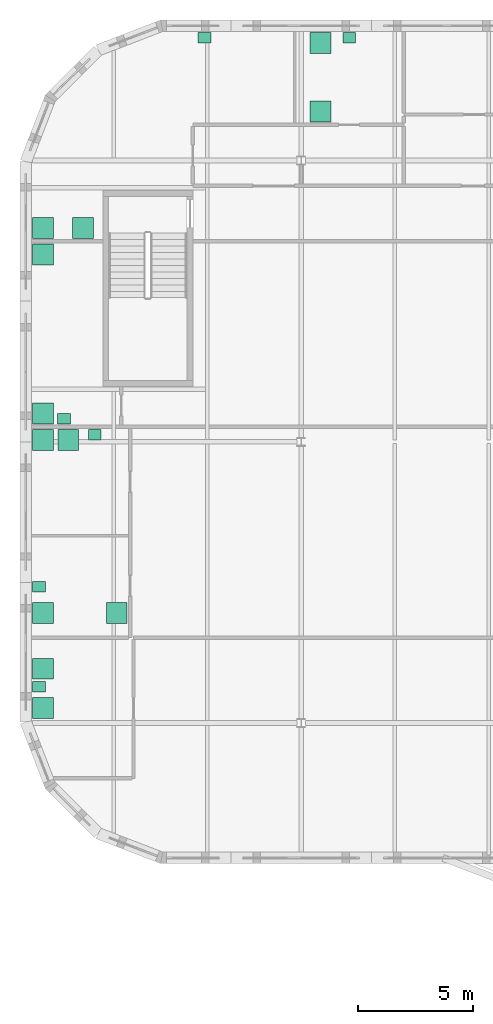
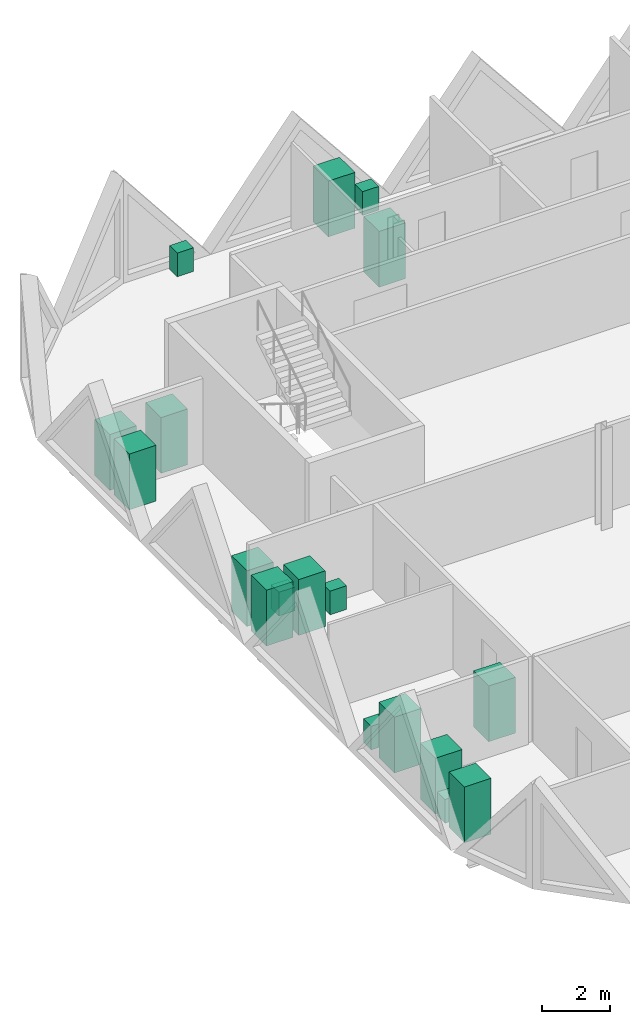
# One storey, part 12 of 12: 18 sanitary terminals.
"""IFC4 building model written with IfcOpenShell, lengths in metres."""

from ifc_helpers import new_model, si_unit, direction, frame, origin, origin_2d, place, context, subcontext, project, spatial, rectangle, extrude, material, type_object, element, save


model = new_model("IFC4")

# Units and contexts
model_context = context("Model", 3, precision=1e-05, world=origin(), true_north=direction((0.0, 1.0)))
body_context = subcontext(model_context, "Body", "Model", "MODEL_VIEW")
ifc_project = project(units=[si_unit("LENGTHUNIT", "METRE"), si_unit("AREAUNIT", "SQUARE_METRE"), si_unit("VOLUMEUNIT", "CUBIC_METRE"), si_unit("PLANEANGLEUNIT", "RADIAN"), si_unit("MASSUNIT", "GRAM", prefix="KILO")], contexts=[model_context])

# Site, building, storey
site_placement = place(None, origin())
site = spatial("IfcSite", under=ifc_project, at=site_placement, CompositionType="ELEMENT")
building_placement = place(site_placement, origin())
building = spatial("IfcBuilding", under=site, at=building_placement, Name="Tessera Gate Towers", CompositionType="ELEMENT")
storey_placement = place(building_placement, frame((0.0, 0.0, 236.89990234375)))
storey = spatial("IfcBuildingStorey", under=building, at=storey_placement, Name="L59", CompositionType="ELEMENT", Elevation=236.89990234375)

# Sanitary terminals
ifc_material_1 = material(Name="Vitreous china")
sanitary_terminal_type_1 = type_object("IfcSanitaryTerminalType", Name="BASIN 550x450", PredefinedType="WASHHANDBASIN", material=ifc_material_1)
for number, where, z_axis, x_axis, name in (
    (1, (8.0048828125, 54.125, 0.0), (0.0, 0.0, 1.0), (1.0, 0.0, 0.0), "Basin"),
    (2, (14.284912109375, 54.125, 0.0), (0.0, 0.0, 1.0), (1.0, 0.0, 0.0), "Basin"),
    (3, (0.824951171875, 25.97509765625, 0.0), (0.0, 0.0, 1.0), (1.0, 0.0, 0.0), "Basin"),
    (4, (0.824951171875, 30.31005859375, 0.0), (0.0, 0.0, 1.0), (1.0, 0.0, 0.0), "Basin"),
    (5, (3.241943359375, 36.89990234375, 0.0), (0.0, 0.0, 1.0), (1.0, 0.0, 0.0), "Basin"),
    (6, (1.907958984375, 37.60009765625, 0.0), (0.0, 0.0, 1.0), (1.0, 0.0, 0.0), "Basin"),
):
    element("IfcSanitaryTerminal", number, at=place(storey_placement, frame(where, z_axis=z_axis, x_axis=x_axis)), inside=storey, type_object=sanitary_terminal_type_1, Name=name, PredefinedType="WASHHANDBASIN", context=body_context, shape_type="SweptSolid", body=[
        extrude(rectangle(XDim=0.550048828125, YDim=0.449951171875, at=origin_2d()), origin(), (0.0, 0.0, 1.0), 0.85009765625),
    ])
ifc_material_2 = material(Name="Vitreous china")
sanitary_terminal_type_2 = type_object("IfcSanitaryTerminalType", Name="SHOWER 900x900", PredefinedType="SHOWER", material=ifc_material_2)
for number, where, z_axis, x_axis, name in (
    (7, (1.0, 45.875, 0.0), (0.0, 0.0, 1.0), (1.0, 0.0, 0.0), "Shower"),
    (8, (2.737060546875, 45.875, 0.0), (0.0, 0.0, 1.0), (1.0, 0.0, 0.0), "Shower"),
    (9, (13.0419921875, 50.925048828125, 0.0), (0.0, 0.0, 1.0), (1.0, 0.0, 0.0), "Shower"),
    (10, (13.0419921875, 53.89990234375, 0.0), (0.0, 0.0, 1.0), (1.0, 0.0, 0.0), "Shower"),
    (11, (1.0, 25.050048828125, 0.0), (0.0, 0.0, 1.0), (1.0, 0.0, 0.0), "Shower"),
    (12, (1.0, 26.75, 0.0), (0.0, 0.0, 1.0), (1.0, 0.0, 0.0), "Shower"),
    (13, (1.0, 29.169921875, 0.0), (0.0, 0.0, 1.0), (1.0, 0.0, 0.0), "Shower"),
    (14, (4.199951171875, 29.169921875, 0.0), (0.0, 0.0, 1.0), (1.0, 0.0, 0.0), "Shower"),
    (15, (1.0, 36.675048828125, 0.0), (0.0, 0.0, 1.0), (1.0, 0.0, 0.0), "Shower"),
    (16, (2.092041015625, 36.675048828125, 0.0), (0.0, 0.0, 1.0), (1.0, 0.0, 0.0), "Shower"),
    (17, (1.0, 37.824951171875, 0.0), (0.0, 0.0, 1.0), (1.0, 0.0, 0.0), "Shower"),
    (18, (1.0, 44.72509765625, 0.0), (0.0, 0.0, 1.0), (1.0, 0.0, 0.0), "Shower"),
):
    element("IfcSanitaryTerminal", number, at=place(storey_placement, frame(where, z_axis=z_axis, x_axis=x_axis)), inside=storey, type_object=sanitary_terminal_type_2, Name=name, PredefinedType="SHOWER", context=body_context, shape_type="SweptSolid", body=[
        extrude(rectangle(XDim=0.89990234375, YDim=0.89990234375, at=origin_2d()), origin(), (0.0, 0.0, 1.0), 2.0),
    ])

save(model, "model.ifc")
